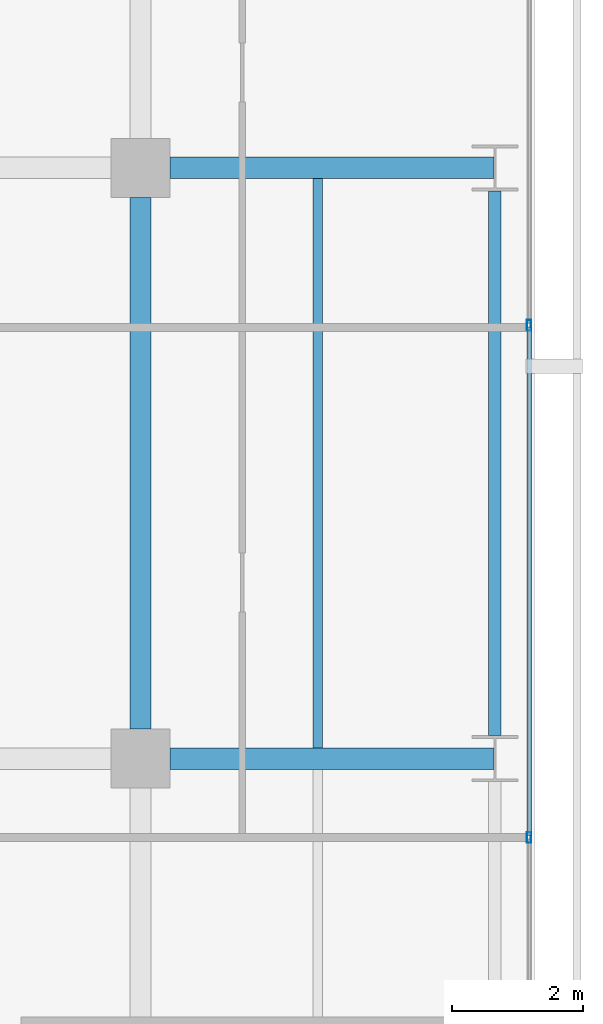
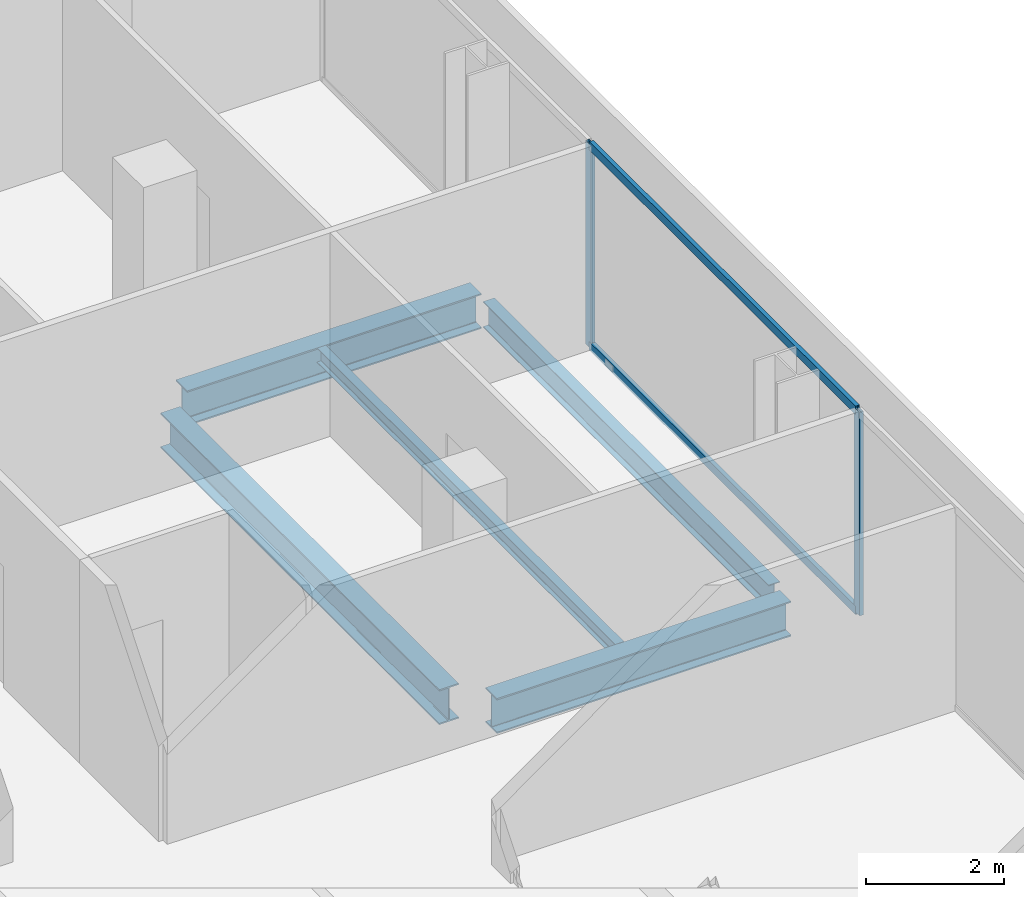
# One storey, part 28 of 40: 5 beams, 4 members, 1 element without a shape of its own.
"""IFC4 building model written with IfcOpenShell, lengths in metres."""

from ifc_helpers import new_model, si_unit, direction, frame, origin, origin_2d, place, context, subcontext, project, spatial, hollow_rectangle, i_section, extrude, material, layer, layer_set, material_profile, profile_set, type_object, element, aggregate, save


model = new_model("IFC4")

# Units and contexts
model_context = context("Model", 3, precision=1e-05, world=origin(), true_north=direction((0.0, 1.0)))
body_context = subcontext(model_context, "Body", "Model", "MODEL_VIEW")
ifc_project = project(units=[si_unit("LENGTHUNIT", "METRE"), si_unit("AREAUNIT", "SQUARE_METRE"), si_unit("VOLUMEUNIT", "CUBIC_METRE"), si_unit("PLANEANGLEUNIT", "RADIAN"), si_unit("MASSUNIT", "GRAM", prefix="KILO")], contexts=[model_context])

# Site, building, storey
site_placement = place(None, origin())
site = spatial("IfcSite", under=ifc_project, at=site_placement, CompositionType="ELEMENT")
building_placement = place(site_placement, origin())
building = spatial("IfcBuilding", under=site, at=building_placement, Name="Maruvema Waterfront Hotel and Observation Tower", CompositionType="ELEMENT")
storey_placement = place(building_placement, frame((0.0, 0.0, 57.75)))
storey = spatial("IfcBuildingStorey", under=building, at=storey_placement, Name="L13", CompositionType="ELEMENT", Elevation=57.75)

# Curtain wall, members
ifc_material_1 = material(Name="Anodised bronze aluminium and solar-control low-E IGU", Category="aluminium")
ifc_layer = layer(ifc_material_1, 0.159912109375, Name="Zone 1 Bronze Inner Thermal Curtain Wall System CW-02")
ifc_layer_set = layer_set([ifc_layer], Name="Anodised bronze aluminium and solar-control low-E IGU")
curtain_wall_type = type_object("IfcCurtainWallType", Name="Zone 1 Bronze Inner Thermal Curtain Wall System CW-02", PredefinedType="USERDEFINED", material=ifc_layer_set)
curtain_wall_placement = place(storey_placement, origin())
curtain_wall = element("IfcCurtainWall", 1, at=curtain_wall_placement, inside=storey, type_object=curtain_wall_type, Name="L13 Curtain Wall CW-L13-E", ObjectType="UNITISED CURTAIN WALL", PredefinedType="USERDEFINED")
ifc_material_2 = material(Name="Anodised architectural bronze aluminium", Category="aluminium")
ifc_material_profile_1 = material_profile(ifc_material_2, hollow_rectangle(XDim=0.070068359375, YDim=0.14990234375, WallThickness=0.00390625, at=origin_2d()), Name="ALU-T70x150")
ifc_profile_set_1 = profile_set([ifc_material_profile_1], Name="Anodised architectural bronze aluminium")
member_type_1 = type_object("IfcMemberType", Name="Curtain Wall Horizontal Transom ALU-T70x150", PredefinedType="USERDEFINED", material=ifc_profile_set_1)
member_1_placement = place(storey_placement, frame((64.719970703125, 34.830078125, 0.030029296875), z_axis=(0.0, 1.0, 0.0), x_axis=(-1.0, 0.0, 0.0)))
member_1 = element("IfcMember", 2, at=member_1_placement, type_object=member_type_1, Name="CW-02 transom 5.1", ObjectType="TRANSOM", PredefinedType="USERDEFINED", context=body_context, shape_type="SweptSolid", body=[
    extrude(hollow_rectangle(XDim=0.070068359375, YDim=0.14990234375, WallThickness=0.00390625, at=origin_2d()), origin(), (0.0, 0.0, 1.0), 7.739990234375),
])
member_2_placement = place(storey_placement, frame((64.719970703125, 34.830078125, 3.580078125), z_axis=(0.0, 1.0, 0.0), x_axis=(-1.0, 0.0, 0.0)))
member_2 = element("IfcMember", 3, at=member_2_placement, type_object=member_type_1, Name="CW-02 transom 5.2", ObjectType="TRANSOM", PredefinedType="USERDEFINED", context=body_context, shape_type="SweptSolid", body=[
    extrude(hollow_rectangle(XDim=0.070068359375, YDim=0.14990234375, WallThickness=0.00390625, at=origin_2d()), origin(), (0.0, 0.0, 1.0), 7.739990234375),
])
ifc_material_3 = material(Name="Anodised architectural bronze aluminium", Category="aluminium")
ifc_material_profile_2 = material_profile(ifc_material_3, hollow_rectangle(XDim=0.06494140625, YDim=0.1650390625, WallThickness=0.00390625, at=origin_2d()), Name="ALU-M65x165")
ifc_profile_set_2 = profile_set([ifc_material_profile_2], Name="Anodised architectural bronze aluminium")
member_type_2 = type_object("IfcMemberType", Name="Curtain Wall Primary Mullion ALU-M65x165", PredefinedType="MULLION", material=ifc_profile_set_2)
member_3_placement = place(storey_placement, frame((64.719970703125, 34.800048828125, 0.0), z_axis=(0.0, 0.0, 1.0), x_axis=(-1.0, 0.0, 0.0)))
member_3 = element("IfcMember", 4, at=member_3_placement, type_object=member_type_2, Name="CW-02 mullion 5", PredefinedType="MULLION", context=body_context, shape_type="SweptSolid", body=[
    extrude(hollow_rectangle(XDim=0.06494140625, YDim=0.1650390625, WallThickness=0.00390625, at=origin_2d()), origin(), (0.0, 0.0, 1.0), 3.610107421875),
])
member_4_placement = place(storey_placement, frame((64.719970703125, 42.60009765625, 0.0), z_axis=(0.0, 0.0, 1.0), x_axis=(-1.0, 0.0, 0.0)))
member_4 = element("IfcMember", 5, at=member_4_placement, type_object=member_type_2, Name="CW-02 mullion 6", PredefinedType="MULLION", context=body_context, shape_type="SweptSolid", body=[
    extrude(hollow_rectangle(XDim=0.06494140625, YDim=0.1650390625, WallThickness=0.00390625, at=origin_2d()), origin(), (0.0, 0.0, 1.0), 3.610107421875),
])
aggregate(curtain_wall, [member_3, member_4, member_1, member_2])

# Beams
ifc_material_4 = material(Name="Steel ASTM A572 Grade 50", Category="steel")
ifc_material_profile_3 = material_profile(ifc_material_4, i_section(OverallWidth=0.18994140625, OverallDepth=0.45703125, WebThickness=0.009033203125, FlangeThickness=0.014404296875, FilletRadius=0.014892578125, at=origin_2d()), Name="W460x74.0")
ifc_profile_set_3 = profile_set([ifc_material_profile_3], Name="Steel ASTM A572 Grade 50")
beam_type_1 = type_object("IfcBeamType", Name="Perimeter Spandrel Beam W460x74.0", PredefinedType="SPANDREL", material=ifc_profile_set_3)
beam_1_placement = place(storey_placement, frame((64.199951171875, 36.35009765625, -0.468505859375), z_axis=(0.0, 1.0, 0.0), x_axis=(-1.0, 0.0, 0.0)))
element("IfcBeam", 6, at=beam_1_placement, inside=storey, type_object=beam_type_1, Name="L13 Floor Girder NS-36", PredefinedType="SPANDREL", context=body_context, shape_type="SweptSolid", body=[
    extrude(i_section(OverallWidth=0.18994140625, OverallDepth=0.45703125, WebThickness=0.009033203125, FlangeThickness=0.014404296875, FilletRadius=0.014892578125, at=origin_2d()), origin(), (0.0, 0.0, 1.0), 8.2998046875),
])
ifc_material_5 = material(Name="Steel ASTM A572 Grade 50", Category="steel")
ifc_material_profile_4 = material_profile(ifc_material_5, i_section(OverallWidth=0.326904296875, OverallDepth=0.6220703125, WebThickness=0.015380859375, FlangeThickness=0.0244140625, FilletRadius=0.01806640625, at=origin_2d()), Name="W610x195.0")
ifc_profile_set_4 = profile_set([ifc_material_profile_4], Name="Steel ASTM A572 Grade 50")
beam_type_2 = type_object("IfcBeamType", Name="Primary Floor Girder W610x195.0", PredefinedType="BEAM", material=ifc_profile_set_4)
for number, where, z_axis, x_axis, name in (
    (7, (59.25, 36.0, -0.551025390625), (1.0, 0.0, 0.0), (0.0, 1.0, 0.0), "L13 Floor Girder EW-31"),
    (8, (59.25, 45.0, -0.551025390625), (1.0, 0.0, 0.0), (0.0, 1.0, 0.0), "L13 Floor Girder EW-35"),
):
    element("IfcBeam", number, at=place(storey_placement, frame(where, z_axis=z_axis, x_axis=x_axis)), inside=storey, type_object=beam_type_2, Name=name, PredefinedType="BEAM", context=body_context, shape_type="SweptSolid", body=[
        extrude(i_section(OverallWidth=0.326904296875, OverallDepth=0.6220703125, WebThickness=0.015380859375, FlangeThickness=0.0244140625, FilletRadius=0.01806640625, at=origin_2d()), origin(), (0.0, 0.0, 1.0), 4.93603515625),
    ])
beam_2_placement = place(storey_placement, frame((58.800048828125, 36.449951171875, -0.551025390625), z_axis=(0.0, 1.0, 0.0), x_axis=(-1.0, 0.0, 0.0)))
element("IfcBeam", 9, at=beam_2_placement, inside=storey, type_object=beam_type_2, Name="L13 Floor Girder NS-31", PredefinedType="BEAM", context=body_context, shape_type="SweptSolid", body=[
    extrude(i_section(OverallWidth=0.326904296875, OverallDepth=0.6220703125, WebThickness=0.015380859375, FlangeThickness=0.0244140625, FilletRadius=0.01806640625, at=origin_2d()), origin(), (0.0, 0.0, 1.0), 8.10009765625),
])
ifc_material_6 = material(Name="Steel ASTM A572 Grade 50", Category="steel")
ifc_material_profile_5 = material_profile(ifc_material_6, i_section(OverallWidth=0.14599609375, OverallDepth=0.258056640625, WebThickness=0.006103515625, FlangeThickness=0.009033203125, FilletRadius=0.012939453125, at=origin_2d()), Name="W250x32.7")
ifc_profile_set_5 = profile_set([ifc_material_profile_5], Name="Steel ASTM A572 Grade 50")
beam_type_3 = type_object("IfcBeamType", Name="Secondary Floor Joist W250x32.7", PredefinedType="JOIST", material=ifc_profile_set_5)
beam_3_placement = place(storey_placement, frame((61.5, 36.16357421875, -0.368896484375), z_axis=(0.0, 1.0, 0.0), x_axis=(-1.0, 0.0, 0.0)))
element("IfcBeam", 10, at=beam_3_placement, inside=storey, type_object=beam_type_3, Name="L13 Secondary Floor Joist JS-24", PredefinedType="JOIST", context=body_context, shape_type="SweptSolid", body=[
    extrude(i_section(OverallWidth=0.14599609375, OverallDepth=0.258056640625, WebThickness=0.006103515625, FlangeThickness=0.009033203125, FilletRadius=0.012939453125, at=origin_2d()), origin(), (0.0, 0.0, 1.0), 8.6728515625),
])

save(model, "model.ifc")
